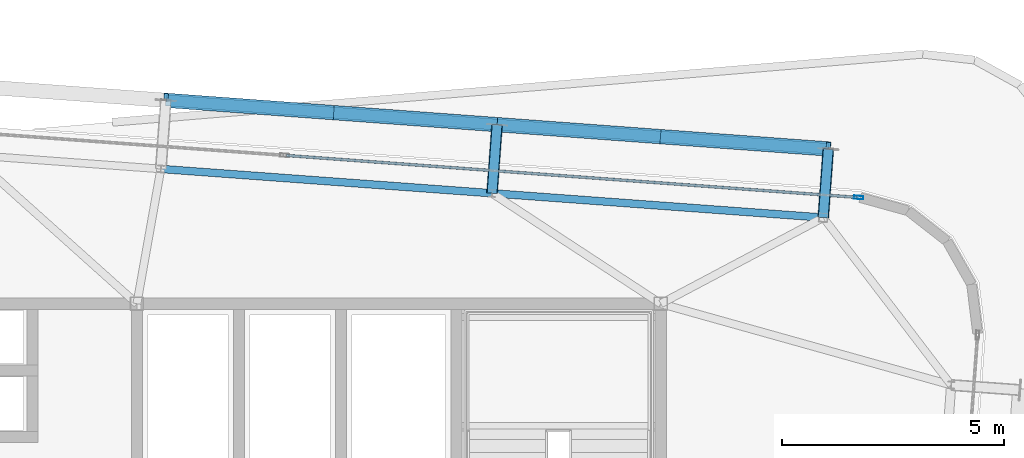
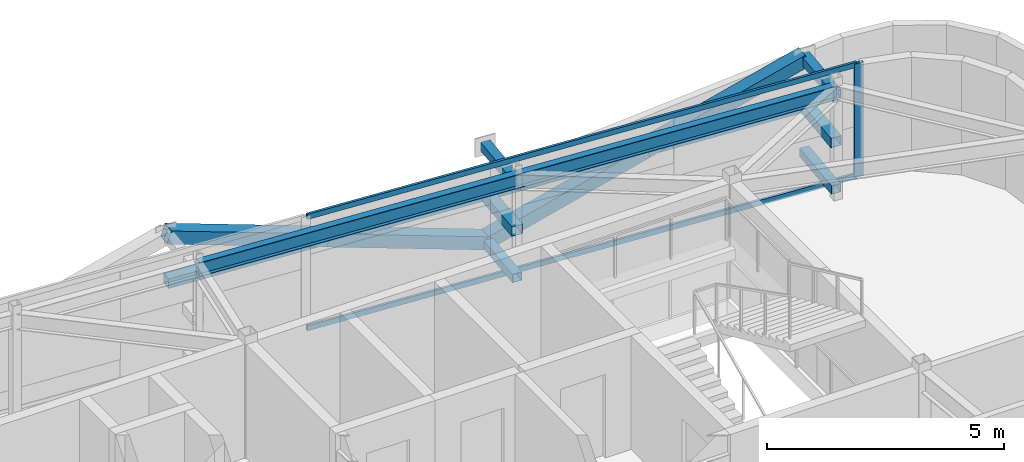
# One storey, part 23 of 37: 15 members, 2 beams, 1 element without a shape of its own.
"""IFC4 building model written with IfcOpenShell, lengths in metres."""

import ifcopenshell
import ifcopenshell.guid

model = None  # the IFC model being written
_history = None  # IfcOwnerHistory: only IFC2X3 demands one
_inside = {}  # id of a spatial element -> (the spatial element, [elements in it])
_under = {}  # id of a project, library or spatial element -> (it, [spatial elements below it])
_declared = {}  # id of a project -> (the project, [libraries it declares])
_typed = {}  # id of a type object -> (the type object, [elements of that type])
_made_of = {}  # id of a material, layer set ... -> (it, [elements and type objects made of it])


def new_model(schema):
    """Start an empty IFC model of exactly this schema.

    Asked for "IFC4X3", IfcOpenShell would pick the latest addendum, in which some entities
    have other attributes; the version numbers below select the first issue.
    IFC2X3 requires an IfcOwnerHistory on every rooted entity: one is made here for all.
    """
    global model, _history
    if schema == "IFC4X3":
        model = ifcopenshell.file(schema_version=(4, 3, 0, 0))
    else:
        model = ifcopenshell.file(schema=schema)
    _inside.clear()
    _under.clear()
    _declared.clear()
    _typed.clear()
    _made_of.clear()
    _history = None
    if model.schema == "IFC2X3":
        org = make("IfcOrganization", Name="unknown")
        user = make(
            "IfcPersonAndOrganization",
            ThePerson=make("IfcPerson", FamilyName="unknown"),
            TheOrganization=org,
        )
        app = make(
            "IfcApplication",
            ApplicationDeveloper=org,
            Version="unknown",
            ApplicationFullName="unknown",
            ApplicationIdentifier="unknown",
        )
        _history = make(
            "IfcOwnerHistory",
            OwningUser=user,
            OwningApplication=app,
            ChangeAction="ADDED",
            CreationDate=0,
        )
    return model


def make(cls, **values):
    """One entity of the class cls with the attributes given. An attribute that is None is left unset."""
    return model.create_entity(
        cls, **{name: value for name, value in values.items() if value is not None}
    )


def rooted(cls, **values):
    """An entity with a GlobalId (a new one), such as an element, a storey or a relation."""
    return make(cls, GlobalId=ifcopenshell.guid.new(), OwnerHistory=_history, **values)


def si_unit(unit_type, name, prefix=None):
    """IfcSIUnit, for example si_unit("LENGTHUNIT", "METRE", prefix="MILLI")."""
    return make("IfcSIUnit", UnitType=unit_type, Prefix=prefix, Name=name)


def assignment(units):
    """IfcUnitAssignment: the units of a project."""
    return None if units is None else make("IfcUnitAssignment", Units=units)


def point(xyz):
    """IfcCartesianPoint."""
    return None if xyz is None else make("IfcCartesianPoint", Coordinates=xyz)


def direction(xyz):
    """IfcDirection."""
    return None if xyz is None else make("IfcDirection", DirectionRatios=xyz)


def frame(location, z_axis=None, x_axis=None):
    """IfcAxis2Placement3D, a coordinate frame: its origin and axes. An axis left out is left unset."""
    return make(
        "IfcAxis2Placement3D",
        Location=point(location),
        Axis=direction(z_axis),
        RefDirection=direction(x_axis),
    )


def frame_2d(location, x_axis=None):
    """IfcAxis2Placement2D, a coordinate frame in the plane: its origin and x axis."""
    return make(
        "IfcAxis2Placement2D", Location=point(location), RefDirection=direction(x_axis)
    )


def origin():
    """The frame at (0, 0, 0) with its axes left unset."""
    return frame((0.0, 0.0, 0.0))


def origin_2d():
    """The frame at (0, 0) in the plane with its x axis left unset."""
    return frame_2d((0.0, 0.0))


def place(relative_to, where):
    """IfcLocalPlacement: puts the frame where relative to a parent placement (None: the world)."""
    return make(
        "IfcLocalPlacement", PlacementRelTo=relative_to, RelativePlacement=where
    )


def context(
    kind, dimensions, precision=None, world=None, true_north=None, identifier=None
):
    """IfcGeometricRepresentationContext, for example the 3D "Model" context."""
    return make(
        "IfcGeometricRepresentationContext",
        ContextIdentifier=identifier,
        ContextType=kind,
        CoordinateSpaceDimension=dimensions,
        Precision=precision,
        WorldCoordinateSystem=world,
        TrueNorth=true_north,
    )


def subcontext(parent, identifier, kind, view, scale=None):
    """IfcGeometricRepresentationSubContext, for example "Body" below "Model"."""
    return make(
        "IfcGeometricRepresentationSubContext",
        ContextIdentifier=identifier,
        ContextType=kind,
        ParentContext=parent,
        TargetScale=scale,
        TargetView=view,
    )


def project(units=None, contexts=None):
    """IfcProject with its units and contexts."""
    return rooted(
        "IfcProject",
        Name="project",
        RepresentationContexts=contexts,
        UnitsInContext=assignment(units),
    )


def spatial(cls, under=None, at=None, **own):
    """A site, building, storey or space (cls), placed at a placement, below another one or the project."""
    s = rooted(cls, ObjectPlacement=at, **own)
    if under is not None:
        _under.setdefault(under.id(), (under, []))[1].append(s)
    return s


def profile(cls, at=None, kind="AREA", **sizes):
    """A parametric profile (cls). Its sizes go by their IFC names, for example OverallWidth=200.0."""
    return make(cls, ProfileType=kind, Position=at, **sizes)


def hollow_rectangle(**sizes):
    """IfcRectangleHollowProfileDef."""
    return profile("IfcRectangleHollowProfileDef", **sizes)


def i_section(**sizes):
    """IfcIShapeProfileDef."""
    return profile("IfcIShapeProfileDef", **sizes)


def extrude(swept, where, along, depth):
    """IfcExtrudedAreaSolid: the profile swept, set in the frame where, extruded along a direction by depth."""
    return make(
        "IfcExtrudedAreaSolid",
        SweptArea=swept,
        Position=where,
        ExtrudedDirection=direction(along),
        Depth=depth,
    )


def shape(context_of_items, identifier, shape_type, items):
    """IfcShapeRepresentation: the items that make up one representation, for example the "Body"."""
    return make(
        "IfcShapeRepresentation",
        ContextOfItems=context_of_items,
        RepresentationIdentifier=identifier,
        RepresentationType=shape_type,
        Items=items,
    )


def source(mapping_origin, context_of_items, identifier, shape_type, items):
    """IfcRepresentationMap: a shape defined once, which mapped items show again and again."""
    return make(
        "IfcRepresentationMap",
        MappingOrigin=mapping_origin,
        MappedRepresentation=shape(context_of_items, identifier, shape_type, items),
    )


def transform(
    local_origin,
    x_axis=None,
    y_axis=None,
    z_axis=None,
    scale=None,
    scale2=None,
    scale3=None,
    uniform=True,
):
    """IfcCartesianTransformationOperator3D, or its non-uniform kind. x_axis, y_axis, z_axis: its Axis1, 2, 3."""
    if uniform:
        return make(
            "IfcCartesianTransformationOperator3D",
            Axis1=direction(x_axis),
            Axis2=direction(y_axis),
            LocalOrigin=point(local_origin),
            Scale=scale,
            Axis3=direction(z_axis),
        )
    return make(
        "IfcCartesianTransformationOperator3DnonUniform",
        Axis1=direction(x_axis),
        Axis2=direction(y_axis),
        LocalOrigin=point(local_origin),
        Scale=scale,
        Axis3=direction(z_axis),
        Scale2=scale2,
        Scale3=scale3,
    )


def mapped(mapping_source, mapping_target):
    """IfcMappedItem: shows the shape of a source again, moved by a transform."""
    return make(
        "IfcMappedItem", MappingSource=mapping_source, MappingTarget=mapping_target
    )


def material(Name=None, Category=None):
    """IfcMaterial."""
    return make("IfcMaterial", Name=Name, Category=Category)


def layer(
    of_material, thickness, ventilated=None, Name=None, Category=None, Priority=None
):
    """IfcMaterialLayer: one layer of a wall or slab, of a material (None: an air gap)."""
    return make(
        "IfcMaterialLayer",
        Material=of_material,
        LayerThickness=thickness,
        IsVentilated=ventilated,
        Name=Name,
        Category=Category,
        Priority=Priority,
    )


def layer_set(layers, Name=None):
    """IfcMaterialLayerSet."""
    return make("IfcMaterialLayerSet", MaterialLayers=layers, LayerSetName=Name)


def material_profile(
    of_material, cross_section, Name=None, Category=None, Priority=None
):
    """IfcMaterialProfile: a cross section and its material."""
    return make(
        "IfcMaterialProfile",
        Name=Name,
        Material=of_material,
        Profile=cross_section,
        Priority=Priority,
        Category=Category,
    )


def profile_set(profiles, Name=None, composite=None):
    """IfcMaterialProfileSet."""
    return make(
        "IfcMaterialProfileSet",
        Name=Name,
        MaterialProfiles=profiles,
        CompositeProfile=composite,
    )


def made_of(thing, what):
    """Note that an element or type object is made of a material, layer set ...; save() writes the relation."""
    if what is not None:
        _made_of.setdefault(what.id(), (what, []))[1].append(thing)
    return thing


def type_object(cls, material=None, **own):
    """A type object (cls), such as IfcWallType, which elements share."""
    return made_of(rooted(cls, **own), material)


def element(
    cls,
    number,
    at=None,
    inside=None,
    cuts=None,
    type_object=None,
    material=None,
    context=None,
    identifier="Body",
    shape_type=None,
    held_by="IfcProductDefinitionShape",
    body=None,
    shapes=None,
    **own,
):
    """One element of the class cls, such as IfcWall. Its Tag is "e" and its number.

    at: its placement. inside: the storey or other place that contains it. cuts: it is an
    opening in that element (IfcRelVoidsElement). A single representation is given by context,
    identifier, shape_type and body (its items); several are given by shapes. held_by: the class
    of the entity that holds the representations. save() writes the other relations.
    """
    e = rooted(cls, Tag="e%d" % number, ObjectPlacement=at, **own)
    if body is not None:
        shapes = [shape(context, identifier, shape_type, body)]
    if shapes is not None:
        e.Representation = make(held_by, Representations=shapes)
    if inside is not None:
        _inside.setdefault(inside.id(), (inside, []))[1].append(e)
    if cuts is not None:
        rooted(
            "IfcRelVoidsElement", RelatingBuildingElement=cuts, RelatedOpeningElement=e
        )
    if type_object is not None:
        _typed.setdefault(type_object.id(), (type_object, []))[1].append(e)
    return made_of(e, material)


def aggregate(whole, parts):
    """IfcRelAggregates: a whole, such as a stair, and the parts it consists of."""
    return rooted("IfcRelAggregates", RelatingObject=whole, RelatedObjects=parts)


def save(model, path):
    """Write the relations noted so far, then the file.

    IfcRelAggregates (storeys below a building ...), IfcRelContainedInSpatialStructure (elements
    in a storey), IfcRelDefinesByType, IfcRelAssociatesMaterial and IfcRelDeclares: one each for
    every whole, place, type object, material and project.
    """
    for whole, parts in _under.values():
        aggregate(whole, parts)
    for where, things in _inside.values():
        rooted(
            "IfcRelContainedInSpatialStructure",
            RelatedElements=things,
            RelatingStructure=where,
        )
    for kind, things in _typed.values():
        rooted("IfcRelDefinesByType", RelatedObjects=things, RelatingType=kind)
    for what, things in _made_of.values():
        rooted("IfcRelAssociatesMaterial", RelatedObjects=things, RelatingMaterial=what)
    for by, libraries in _declared.values():
        rooted("IfcRelDeclares", RelatingContext=by, RelatedDefinitions=libraries)
    model.write(path)


model = new_model("IFC4")

# Units and contexts
model_context = context("Model", 3, precision=1e-05, world=origin(), true_north=direction((0.0, 1.0)))
body_context = subcontext(model_context, "Body", "Model", "MODEL_VIEW")
ifc_project = project(units=[si_unit("LENGTHUNIT", "METRE"), si_unit("AREAUNIT", "SQUARE_METRE"), si_unit("VOLUMEUNIT", "CUBIC_METRE"), si_unit("PLANEANGLEUNIT", "RADIAN"), si_unit("MASSUNIT", "GRAM", prefix="KILO")], contexts=[model_context])

# Site, building, storey
site_placement = place(None, origin())
site = spatial("IfcSite", under=ifc_project, at=site_placement, CompositionType="ELEMENT")
building_placement = place(site_placement, origin())
building = spatial("IfcBuilding", under=site, at=building_placement, Name="Taldren Reach Tower", CompositionType="ELEMENT")
storey_placement = place(building_placement, frame((0.0, 0.0, 211.39990234375)))
storey = spatial("IfcBuildingStorey", under=building, at=storey_placement, Name="L64", CompositionType="ELEMENT", Elevation=211.39990234375)

# Members
ifc_material_1 = material(Name="Steel Gr 350 (C350L0)", Category="steel")
ifc_material_profile_1 = material_profile(ifc_material_1, hollow_rectangle(XDim=0.25, YDim=0.25, WallThickness=0.010009765625, at=origin_2d()), Name="250x250x10.0SHS")
ifc_profile_set_1 = profile_set([ifc_material_profile_1], Name="Steel Gr 350 (C350L0)")
member_type_1 = type_object("IfcMemberType", Name="MB-POST250", PredefinedType="POST", material=ifc_profile_set_1)
shared_shape_1 = source(origin(), body_context, "Body", "SweptSolid", [
    extrude(hollow_rectangle(XDim=0.25, YDim=0.25, WallThickness=0.010009765625, at=origin_2d()), origin(), (0.0, 0.0, 1.0), 1.550048828125),
])
for number, where, z_axis, x_axis, name in (
    (1, (47.199462890625, 34.487548828125, 1.43505859375), (0.07323929162, 0.997314396849, 0.0), (-0.997314396849, 0.07323929162, 0.0), "Exoskeleton mid-tier diaphragm tie B5-N5 L64"),
    (2, (54.659423828125, 33.939697265625, 1.43505859375), (0.07323929162, 0.997314396849, 0.0), (-0.997314396849, 0.07323929162, 0.0), "Exoskeleton mid-tier diaphragm tie B5-N6 L64"),
):
    element("IfcMember", number, at=place(storey_placement, frame(where, z_axis=z_axis, x_axis=x_axis)), inside=storey, type_object=member_type_1, Name=name, PredefinedType="POST", context=body_context, shape_type="MappedRepresentation", body=[
        mapped(shared_shape_1, transform((0.0, 0.0, 0.0), scale=1.0)),
    ])
ifc_material_2 = material(Name="Steel Gr 450 (C450L0)", Category="steel")
ifc_material_profile_2 = material_profile(ifc_material_2, hollow_rectangle(XDim=0.219970703125, YDim=0.219970703125, WallThickness=0.00830078125, at=origin_2d()), Name="220x220x8.2SHS")
ifc_profile_set_2 = profile_set([ifc_material_profile_2], Name="Steel Gr 450 (C450L0)")
member_type_2 = type_object("IfcMemberType", Name="MB-TIE219", PredefinedType="STRUT", material=ifc_profile_set_2)
shared_shape_2 = source(origin(), body_context, "Body", "SweptSolid", [
    extrude(hollow_rectangle(XDim=0.219970703125, YDim=0.219970703125, WallThickness=0.00830078125, at=origin_2d()), origin(), (0.0, 0.0, 1.0), 1.550048828125),
])
for number, where, z_axis, x_axis, name in (
    (3, (47.199462890625, 34.487548828125, 2.650146484375), (0.07323929162, 0.997314396849, 0.0), (-0.997314396849, 0.07323929162, 0.0), "Exoskeleton diaphragm tie strut B5-N5 L64"),
    (4, (47.199462890625, 34.487548828125, 0.22021484375), (0.07323929162, 0.997314396849, 0.0), (-0.997314396849, 0.07323929162, 0.0), "Exoskeleton base diaphragm tie strut B5-N5 L64"),
    (5, (54.659423828125, 33.939697265625, 2.650146484375), (0.07323929162, 0.997314396849, 0.0), (-0.997314396849, 0.07323929162, 0.0), "Exoskeleton diaphragm tie strut B5-N6 L64"),
    (6, (54.659423828125, 33.939697265625, 0.22021484375), (0.07323929162, 0.997314396849, 0.0), (-0.997314396849, 0.07323929162, 0.0), "Exoskeleton base diaphragm tie strut B5-N6 L64"),
):
    element("IfcMember", number, at=place(storey_placement, frame(where, z_axis=z_axis, x_axis=x_axis)), inside=storey, type_object=member_type_2, Name=name, PredefinedType="STRUT", context=body_context, shape_type="MappedRepresentation", body=[
        mapped(shared_shape_2, transform((0.0, 0.0, 0.0), scale=1.0)),
    ])

# Beams
ifc_material_3 = material(Name="Steel Gr 350 (350PLUS)", Category="steel")
ifc_material_profile_3 = material_profile(ifc_material_3, i_section(OverallWidth=0.172119140625, OverallDepth=0.35888671875, WebThickness=0.008056640625, FlangeThickness=0.012939453125, at=origin_2d()), Name="360UB56.7")
ifc_profile_set_3 = profile_set([ifc_material_profile_3], Name="Steel Gr 350 (350PLUS)")
beam_type = type_object("IfcBeamType", Name="SP-UB360", PredefinedType="SPANDREL", material=ifc_profile_set_3)
shared_shape_3 = source(origin(), body_context, "Body", "SweptSolid", [
    extrude(i_section(OverallWidth=0.172119140625, OverallDepth=0.35888671875, WebThickness=0.008056640625, FlangeThickness=0.012939453125, at=origin_2d()), origin(), (0.0, 0.0, 1.0), 7.47998046875),
])
for number, where, z_axis, x_axis, name in (
    (7, (54.659423828125, 33.939697265625, 2.75048828125), (-0.997314220642, 0.07324169103, 0.0), (-0.07324169103, -0.997314220642, 0.0), "Perimeter spandrel B5 N6-N5 L64"),
    (8, (47.199462890625, 34.487548828125, 2.75048828125), (-0.997314220642, 0.07324169103, 0.0), (-0.07324169103, -0.997314220642, 0.0), "Perimeter spandrel B5 N5-N4 L64"),
):
    element("IfcBeam", number, at=place(storey_placement, frame(where, z_axis=z_axis, x_axis=x_axis)), inside=storey, type_object=beam_type, Name=name, PredefinedType="SPANDREL", context=body_context, shape_type="MappedRepresentation", body=[
        mapped(shared_shape_3, transform((0.0, 0.0, 0.0), scale=1.0)),
    ])

# Members
ifc_material_profile_4 = material_profile(ifc_material_2, hollow_rectangle(XDim=0.324951171875, YDim=0.324951171875, WallThickness=0.0126953125, at=origin_2d()), Name="325x325x12.7SHS")
ifc_profile_set_4 = profile_set([ifc_material_profile_4], Name="Steel Gr 450 (C450L0)")
member_type_3 = type_object("IfcMemberType", Name="MB-BR324", PredefinedType="BRACE", material=ifc_profile_set_4)
shared_shape_4 = source(origin(), body_context, "Body", "SweptSolid", [
    extrude(hollow_rectangle(XDim=0.324951171875, YDim=0.324951171875, WallThickness=0.0126953125, at=origin_2d()), origin(), (0.0, 0.0, 1.0), 3.932373046875),
])
for number, where, z_axis, x_axis, name in (
    (9, (47.31298828125, 36.033447265625, 0.22021484375), (-0.948529326954, 0.06965898055, 0.308933232813), (-0.07324169103, -0.997314220642, 0.0), "Exoskeleton Diagrid Brace B5-N4 L64"),
    (10, (43.5830078125, 36.307373046875, 1.43505859375), (-0.948511132845, 0.069657644394, 0.308989390507), (-0.07324169103, -0.997314220642, 0.0), "Exoskeleton Diagrid Brace B5-N4 L64"),
    (11, (47.31298828125, 36.033447265625, 0.22021484375), (0.948529326954, -0.06965898055, 0.308933232813), (0.07324169103, 0.997314220642, 0.0), "Exoskeleton Diagrid Brace B5-N5 L64"),
    (12, (51.04296875, 35.759521484375, 1.43505859375), (0.948511132845, -0.069657644394, 0.308989390507), (0.07324169103, 0.997314220642, 0.0), "Exoskeleton Diagrid Brace B5-N5 L64"),
):
    element("IfcMember", number, at=place(storey_placement, frame(where, z_axis=z_axis, x_axis=x_axis)), inside=storey, type_object=member_type_3, Name=name, PredefinedType="BRACE", context=body_context, shape_type="MappedRepresentation", body=[
        mapped(shared_shape_4, transform((0.0, 0.0, 0.0), scale=1.0)),
    ])
shared_shape_5 = source(origin(), body_context, "Body", "SweptSolid", [
    extrude(hollow_rectangle(XDim=0.25, YDim=0.25, WallThickness=0.010009765625, at=origin_2d()), origin(), (0.0, 0.0, 1.0), 7.47998046875),
])
for number, where, z_axis, x_axis, name in (
    (13, (39.85302734375, 36.581298828125, 1.43505859375), (0.997314220642, -0.07324169103, 0.0), (0.07324169103, 0.997314220642, 0.0), "Exoskeleton mid-height ring chord B5-N4 L64"),
    (14, (47.31298828125, 36.033447265625, 1.43505859375), (0.997314220642, -0.07324169103, 0.0), (0.07324169103, 0.997314220642, 0.0), "Exoskeleton mid-height ring chord B5-N5 L64"),
):
    element("IfcMember", number, at=place(storey_placement, frame(where, z_axis=z_axis, x_axis=x_axis)), inside=storey, type_object=member_type_1, Name=name, PredefinedType="POST", context=body_context, shape_type="MappedRepresentation", body=[
        mapped(shared_shape_5, transform((0.0, 0.0, 0.0), scale=1.0)),
    ])

# Curtain wall, members
ifc_material_4 = material(Name="Aluminium and Low-E Glass Unitised System", Category="aluminium")
ifc_layer = layer(ifc_material_4, 0.159912109375)
ifc_layer_set = layer_set([ifc_layer], Name="Aluminium and Low-E Glass Unitised System")
curtain_wall_type = type_object("IfcCurtainWallType", Name="CW-SYS-6", PredefinedType="NOTDEFINED", material=ifc_layer_set)
curtain_wall_placement = place(storey_placement, origin())
curtain_wall = element("IfcCurtainWall", 15, at=curtain_wall_placement, inside=storey, type_object=curtain_wall_type, Name="Unitised curtain wall CW-L64-N", PredefinedType="NOTDEFINED")
ifc_material_5 = material(Name="Anodised Aluminium 6063-T6", Category="aluminium")
ifc_material_profile_5 = material_profile(ifc_material_5, hollow_rectangle(XDim=0.074951171875, YDim=0.2099609375, WallThickness=0.00439453125, at=origin_2d()), Name="ALU-210x75x4.5RHS")
ifc_profile_set_5 = profile_set([ifc_material_profile_5], Name="Anodised Aluminium 6063-T6")
member_type_4 = type_object("IfcMemberType", Name="CW-MUL-200", PredefinedType="MULLION", material=ifc_profile_set_5)
shared_shape_6 = source(origin(), body_context, "Body", "SweptSolid", [
    extrude(hollow_rectangle(XDim=0.074951171875, YDim=0.2099609375, WallThickness=0.00439453125, at=origin_2d()), origin(), (0.0, 0.0, 1.0), 2.93017578125),
])
member_1_placement = place(storey_placement, frame((55.45703125, 34.392578125, 0.0), z_axis=(0.0, 0.0, 1.0), x_axis=(-0.073238213716, -0.997314476006, 0.0)))
member_1 = element("IfcMember", 16, at=member_1_placement, type_object=member_type_4, Name="CW-6 mullion 1", PredefinedType="MULLION", context=body_context, shape_type="MappedRepresentation", body=[
    mapped(shared_shape_6, transform((0.0, 0.0, 0.0), scale=1.0)),
])
ifc_material_profile_6 = material_profile(ifc_material_5, hollow_rectangle(XDim=0.06005859375, YDim=0.135009765625, WallThickness=0.00341796875, at=origin_2d()), Name="ALU-135x60x3.5RHS")
ifc_profile_set_6 = profile_set([ifc_material_profile_6], Name="Anodised Aluminium 6063-T6")
member_type_5 = type_object("IfcMemberType", Name="CW-TRN-150", PredefinedType="USERDEFINED", material=ifc_profile_set_6)
shared_shape_7 = source(origin(), body_context, "Body", "SweptSolid", [
    extrude(hollow_rectangle(XDim=0.06005859375, YDim=0.135009765625, WallThickness=0.00341796875, at=origin_2d()), origin(), (0.0, 0.0, 1.0), 12.887451171875),
])
member_2_placement = place(storey_placement, frame((55.419677734375, 34.395263671875, 0.030029296875), z_axis=(-0.997314487101, 0.07323806263, 0.0), x_axis=(-0.07323806263, -0.997314487101, 0.0)))
member_2 = element("IfcMember", 17, at=member_2_placement, type_object=member_type_5, Name="CW-6 transom 1.1", ObjectType="TRANSOM", PredefinedType="USERDEFINED", context=body_context, shape_type="MappedRepresentation", body=[
    mapped(shared_shape_7, transform((0.0, 0.0, 0.0), scale=1.0)),
])
member_3_placement = place(storey_placement, frame((55.419677734375, 34.395263671875, 2.900146484375), z_axis=(-0.997314487101, 0.07323806263, 0.0), x_axis=(-0.07323806263, -0.997314487101, 0.0)))
member_3 = element("IfcMember", 18, at=member_3_placement, type_object=member_type_5, Name="CW-6 transom 1.2", ObjectType="TRANSOM", PredefinedType="USERDEFINED", context=body_context, shape_type="MappedRepresentation", body=[
    mapped(shared_shape_7, transform((0.0, 0.0, 0.0), scale=1.0)),
])
aggregate(curtain_wall, [member_1, member_2, member_3])

save(model, "model.ifc")
